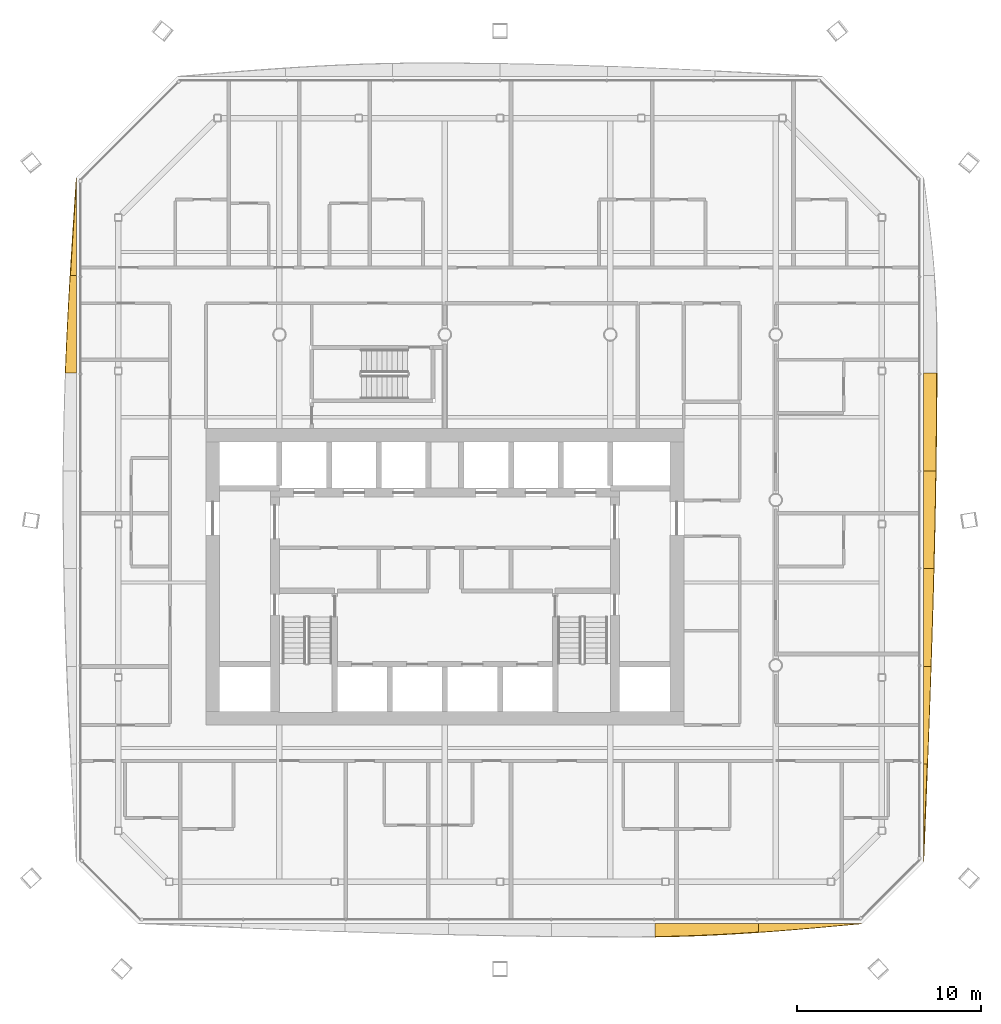
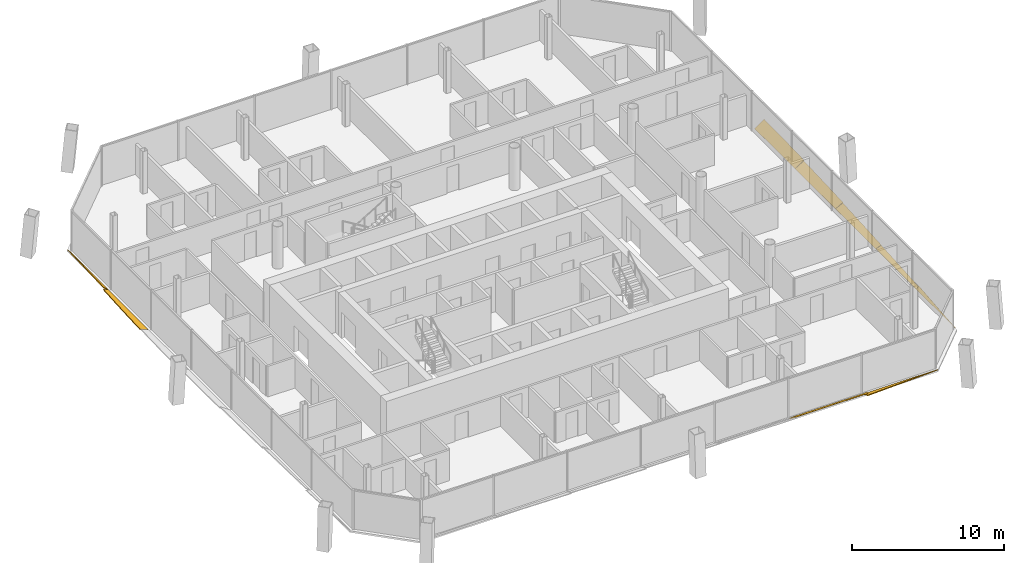
# One storey, part 19 of 21: 9 shading devices.
"""IFC4 building model written with IfcOpenShell, lengths in metres."""

from ifc_helpers import new_model, si_unit, direction, frame, origin, place, context, subcontext, project, spatial, polyline, outline, extrude, material, layer, layer_set, type_object, element, save


model = new_model("IFC4")

# Units and contexts
model_context = context("Model", 3, precision=1e-05, world=origin(), true_north=direction((0.0, 1.0)))
body_context = subcontext(model_context, "Body", "Model", "MODEL_VIEW")
ifc_project = project(units=[si_unit("LENGTHUNIT", "METRE"), si_unit("AREAUNIT", "SQUARE_METRE"), si_unit("VOLUMEUNIT", "CUBIC_METRE"), si_unit("PLANEANGLEUNIT", "RADIAN"), si_unit("MASSUNIT", "GRAM", prefix="KILO")], contexts=[model_context])

# Site, building, storey
site_placement = place(None, origin())
site = spatial("IfcSite", under=ifc_project, at=site_placement, CompositionType="ELEMENT")
building_placement = place(site_placement, origin())
building = spatial("IfcBuilding", under=site, at=building_placement, Name="Tskaro Facet Tower", CompositionType="ELEMENT")
storey_placement = place(building_placement, frame((0.0, 0.0, 138.5)))
storey = spatial("IfcBuildingStorey", under=building, at=storey_placement, Name="L33", CompositionType="ELEMENT", Elevation=138.5)

# Shading devices
ifc_material = material(Name="Bronze anodised aluminium 6063-T6", Category="aluminium")
ifc_layer = layer(ifc_material, 0.06005859375, Name="Bronze anodised aluminium 6063-T6")
ifc_layer_set = layer_set([ifc_layer], Name="Bronze anodised aluminium 6063-T6")
shading_device_type = type_object("IfcShadingDeviceType", Name="Bronze sun blade (FN1)", PredefinedType="USERDEFINED", material=ifc_layer_set)
shading_device_1_placement = place(storey_placement, frame((11.433349609375, -23.031494140625, 0.0458984375), z_axis=(-1.2619757e-05, 0.642870464746, 0.765974911729), x_axis=(0.99999999992, 8.112869e-06, 9.666417e-06)))
element("IfcShadingDevice", 1, at=shading_device_1_placement, inside=storey, type_object=shading_device_type, Name="Fin blade south 6", ObjectType="FIN", PredefinedType="USERDEFINED", context=body_context, shape_type="SweptSolid", body=[
    extrude(outline(polyline([(0.0, 0.0), (5.6223144526773, 4.7622855816209186e-21), (5.622314455045334, -0.6248719756260378), (4.91967773441354, -0.6865770899288632), (4.216796873788829, -0.7429057979798359), (3.513916015397579, -0.7933271377944893), (2.8112792971255196, -0.8373402021849852), (2.1083984373434066, -0.8746010347605553), (1.4057617173012005, -0.9051096355211997), (0.7028808593310182, -0.9281480368887527), (9.64782223016164e-11, -0.9440902500506114), (0.0, 0.0)])), origin(), (0.0, 0.0, -1.0), 0.06005859375),
])
shading_device_2_placement = place(storey_placement, frame((17.0556640625, -23.049560546875, 0.056396484375), z_axis=(3.2576916e-05, 0.341936598844, 0.93972302372), x_axis=(0.999999999469, -1.113924e-05, -3.0613278e-05)))
element("IfcShadingDevice", 2, at=shading_device_2_placement, inside=storey, type_object=shading_device_type, Name="Fin blade south 7", ObjectType="FIN", PredefinedType="USERDEFINED", context=body_context, shape_type="SweptSolid", body=[
    extrude(outline(polyline([(0.0, 0.0), (5.622314450141644, 0.0), (4.919433592284407, -0.06935397889938615), (4.21679687436736, -0.13793620348439684), (3.513916015140766, -0.20574667375503206), (2.811279292450145, -0.27178421083045673), (2.1083984372741047, -0.3356524289142183), (1.4055175773244892, -0.39697595948839387), (0.7028808600154355, -0.4548995676236116), (-6.096283070519726e-09, -0.5092773093684081), (0.0, 0.0)])), origin(), (0.0, 0.0, -1.0), 0.06005859375),
])
shading_device_3_placement = place(storey_placement, frame((26.031494140625, -19.677978515625, 0.0458984375), z_axis=(-0.643029907869, 4.436312e-06, 0.765841065474), x_axis=(2.852681e-06, 0.99999999999, -3.39751e-06)))
element("IfcShadingDevice", 3, at=shading_device_3_placement, inside=storey, type_object=shading_device_type, Name="Fin blade east 1", ObjectType="FIN", PredefinedType="USERDEFINED", context=body_context, shape_type="SweptSolid", body=[
    extrude(outline(polyline([(0.0, 0.0), (5.314941406197699, 0.0), (5.314941406303241, -0.2760500746416863), (4.650390625058356, -0.2422588601050789), (3.9860839844384675, -0.20846764556847155), (3.3217773432551394, -0.17414549547550717), (2.6574707029012816, -0.13966635565894042), (1.9931640626804379, -0.10484325320239399), (1.328613281138142, -0.06983317782947021), (0.6643066409172986, -0.03501007537292378), (0.0, 0.0)])), origin(), (0.0, 0.0, -1.0), 0.06005859375),
])
shading_device_4_placement = place(storey_placement, frame((26.049560546875, -14.363037109375, 0.056396484375), z_axis=(-0.341980523354, 8.508599e-06, 0.939707040292), x_axis=(2.909775e-06, 0.999999999964, -7.99559e-06)))
element("IfcShadingDevice", 4, at=shading_device_4_placement, inside=storey, type_object=shading_device_type, Name="Fin blade east 2", ObjectType="FIN", PredefinedType="USERDEFINED", context=body_context, shape_type="SweptSolid", body=[
    extrude(outline(polyline([(0.0, 0.0), (5.314697265432619, -2.2508618443333574e-21), (5.314697266181198, -0.43072473839117775), (4.6503906239311705, -0.4066334024484535), (3.9860839848748455, -0.382145663164162), (3.3217773436873386, -0.3569696618874444), (2.657226563116494, -0.33148074860787224), (1.992919921039458, -0.3053035733358739), (1.32861328091447, -0.279042906725163), (0.6643066406103477, -0.2520104867833135), (3.062254940401706e-10, -0.22497806684146396), (0.0, 0.0)])), origin(), (0.0, 0.0, -1.0), 0.06005859375),
])
shading_device_5_placement = place(storey_placement, frame((26.044677734375, -9.04833984375, 0.054443359375), z_axis=(-0.422564038707, 1.386177e-06, 0.906333069677), x_axis=(5.85748e-07, 0.999999999999, -1.256338e-06)))
element("IfcShadingDevice", 5, at=shading_device_5_placement, inside=storey, type_object=shading_device_type, Name="Fin blade east 3", ObjectType="FIN", PredefinedType="USERDEFINED", context=body_context, shape_type="SweptSolid", body=[
    extrude(outline(polyline([(0.0, 0.0), (5.314941406244894, 0.0), (5.314941406266356, -0.6217030347815312), (4.650634765610502, -0.6025882249122791), (3.986083984371075, -0.5823819940576448), (3.321777343777361, -0.5616300527103195), (2.657470703061354, -0.5401111281482138), (1.9931640625297793, -0.5177220553228152), (1.3288574218759122, -0.49456599928263634), (0.6643066406177585, -0.4708642327497663), (5.3177328669258624e-12, -0.4466167557242052), (0.0, 0.0)])), origin(), (0.0, 0.0, -1.0), 0.06005859375),
])
shading_device_6_placement = place(storey_placement, frame((26.0400390625, -3.7333984375, 0.052001953125), z_axis=(-0.499975810668, -2.1198975e-05, 0.866039368792), x_axis=(-1.0598975e-05, 0.999999999775, 1.8359147e-05)))
element("IfcShadingDevice", 6, at=shading_device_6_placement, inside=storey, type_object=shading_device_type, Name="Fin blade east 4", ObjectType="FIN", PredefinedType="USERDEFINED", context=body_context, shape_type="SweptSolid", body=[
    extrude(outline(polyline([(0.0, 0.0), (5.314941405055742, -9.003860967639706e-21), (5.314941407816973, -0.7781323488248566), (4.650390624034916, -0.7656555169606732), (3.9860839822639385, -0.7520888147113564), (3.321777343773668, -0.7377657418766539), (2.6574707021873185, -0.722230734249889), (1.9929199213621576, -0.7056058562379908), (1.3286132799604355, -0.688102543233778), (0.6643066418394209, -0.6698428596441797), (-1.9653137118642785e-09, -0.6505826766553378), (0.0, 0.0)])), origin(), (0.0, 0.0, -1.0), 0.06005859375),
])
shading_device_7_placement = place(storey_placement, frame((26.03564453125, 1.58154296875, 0.049072265625), z_axis=(-0.573674051863, 5.698956e-06, 0.819083684483), x_axis=(3.269343e-06, 0.999999999984, -4.667922e-06)))
element("IfcShadingDevice", 7, at=shading_device_7_placement, inside=storey, type_object=shading_device_type, Name="Fin blade east 5", ObjectType="FIN", PredefinedType="USERDEFINED", context=body_context, shape_type="SweptSolid", body=[
    extrude(outline(polyline([(0.0, 0.0), (5.314697265538695, -2.2508618443333574e-21), (5.314697265933252, -0.886994572549697), (4.650390625199371, -0.8831344274409798), (3.98608398469166, -0.8780542244969103), (3.3217773436119398, -0.8715539921148281), (2.657226561791943, -0.8641737306416244), (1.9929199219627423, -0.855433354191498), (1.3286132812200822, -0.8456129770475898), (0.6643066403621424, -0.8349125708125598), (7.182275861908417e-11, -0.8226520779979467), (0.0, 0.0)])), origin(), (0.0, 0.0, -1.0), 0.06005859375),
])
shading_device_8_placement = place(storey_placement, frame((-20.031494140625, 17.52587890625, 0.0458984375), z_axis=(0.643108172778, -6.351295e-06, 0.765775344384), x_axis=(-4.08457e-06, -0.99999999998, -4.863665e-06)))
element("IfcShadingDevice", 8, at=shading_device_8_placement, inside=storey, type_object=shading_device_type, Name="Fin blade west 1", ObjectType="FIN", PredefinedType="USERDEFINED", context=body_context, shape_type="SweptSolid", body=[
    extrude(outline(polyline([(0.0, 0.0), (5.314697265517806, 0.0), (5.314697265731582, -0.4434433227243434), (4.650390625251147, -0.3914591428392346), (3.9860839843441287, -0.33825610897561775), (3.3217773430105275, -0.2838342211334927), (2.657226562809976, -0.2282234273528032), (1.9929199214302098, -0.17189475412729224), (1.3286132814280704, -0.11506510636809461), (0.6643066406189309, -0.05770453603526679), (0.0, 0.0)])), origin(), (0.0, 0.0, -1.0), 0.06005859375),
])
shading_device_9_placement = place(storey_placement, frame((-20.049560546875, 12.211181640625, 0.056396484375), z_axis=(0.342026268853, -8.721871e-06, 0.939690391213), x_axis=(-2.983109e-06, -0.999999999962, -8.195858e-06)))
element("IfcShadingDevice", 9, at=shading_device_9_placement, inside=storey, type_object=shading_device_type, Name="Fin blade west 2", ObjectType="FIN", PredefinedType="USERDEFINED", context=body_context, shape_type="SweptSolid", body=[
    extrude(outline(polyline([(0.0, 0.0), (5.3149414060478435, 2.2509652419099266e-21), (5.314941407002031, -0.6398713307007075), (4.650634764510199, -0.6121506592943242), (3.9860839848434013, -0.5819477259578703), (3.3217773439770943, -0.5497424548119132), (2.6574707040155263, -0.5156807599488321), (1.9931640622294575, -0.4796167272762481), (1.3288574213481281, -0.4416962708865399), (0.6643066394739034, -0.40223230988618097), (5.86004986827785e-10, -0.3613707583675499), (0.0, 0.0)])), origin(), (0.0, 0.0, -1.0), 0.06005859375),
])

save(model, "model.ifc")
